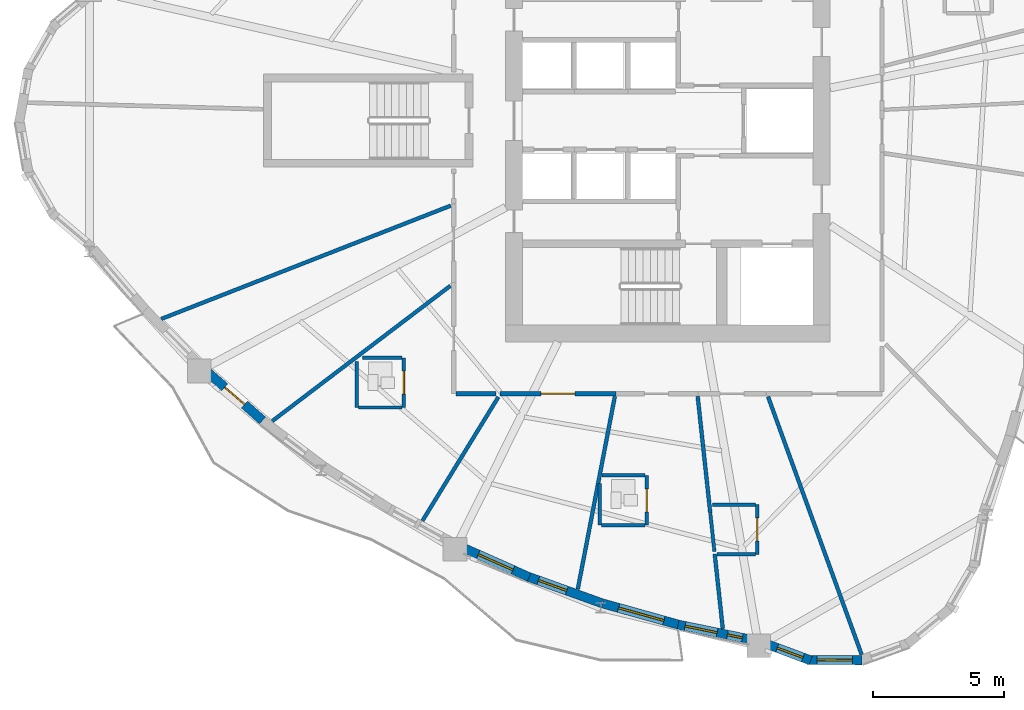
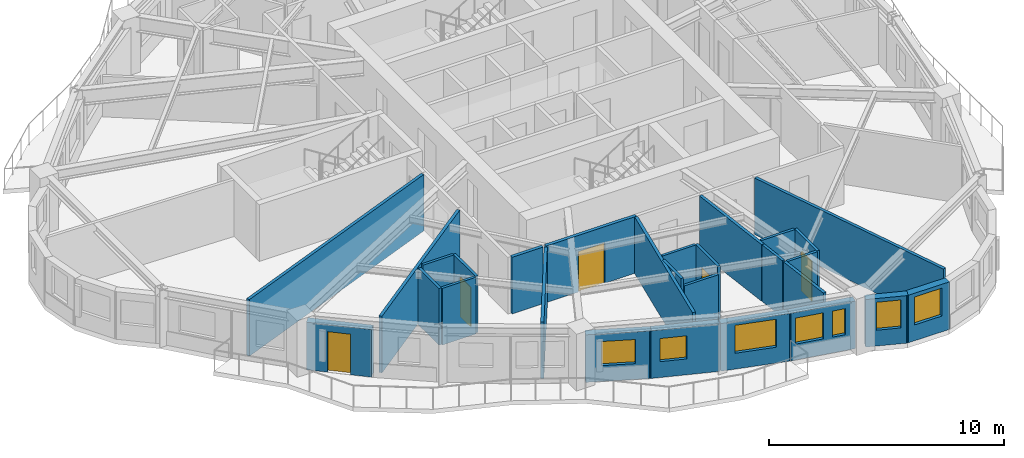
# One storey, part 3 of 12: 28 walls, 7 windows, 5 doors, 12 openings.
"""IFC4 building model written with IfcOpenShell, lengths in metres."""

import ifcopenshell
import ifcopenshell.guid

model = None  # the IFC model being written
_history = None  # IfcOwnerHistory: only IFC2X3 demands one
_inside = {}  # id of a spatial element -> (the spatial element, [elements in it])
_under = {}  # id of a project, library or spatial element -> (it, [spatial elements below it])
_declared = {}  # id of a project -> (the project, [libraries it declares])
_typed = {}  # id of a type object -> (the type object, [elements of that type])
_made_of = {}  # id of a material, layer set ... -> (it, [elements and type objects made of it])


def new_model(schema):
    """Start an empty IFC model of exactly this schema.

    Asked for "IFC4X3", IfcOpenShell would pick the latest addendum, in which some entities
    have other attributes; the version numbers below select the first issue.
    IFC2X3 requires an IfcOwnerHistory on every rooted entity: one is made here for all.
    """
    global model, _history
    if schema == "IFC4X3":
        model = ifcopenshell.file(schema_version=(4, 3, 0, 0))
    else:
        model = ifcopenshell.file(schema=schema)
    _inside.clear()
    _under.clear()
    _declared.clear()
    _typed.clear()
    _made_of.clear()
    _history = None
    if model.schema == "IFC2X3":
        org = make("IfcOrganization", Name="unknown")
        user = make(
            "IfcPersonAndOrganization",
            ThePerson=make("IfcPerson", FamilyName="unknown"),
            TheOrganization=org,
        )
        app = make(
            "IfcApplication",
            ApplicationDeveloper=org,
            Version="unknown",
            ApplicationFullName="unknown",
            ApplicationIdentifier="unknown",
        )
        _history = make(
            "IfcOwnerHistory",
            OwningUser=user,
            OwningApplication=app,
            ChangeAction="ADDED",
            CreationDate=0,
        )
    return model


def make(cls, **values):
    """One entity of the class cls with the attributes given. An attribute that is None is left unset."""
    return model.create_entity(
        cls, **{name: value for name, value in values.items() if value is not None}
    )


def rooted(cls, **values):
    """An entity with a GlobalId (a new one), such as an element, a storey or a relation."""
    return make(cls, GlobalId=ifcopenshell.guid.new(), OwnerHistory=_history, **values)


def si_unit(unit_type, name, prefix=None):
    """IfcSIUnit, for example si_unit("LENGTHUNIT", "METRE", prefix="MILLI")."""
    return make("IfcSIUnit", UnitType=unit_type, Prefix=prefix, Name=name)


def assignment(units):
    """IfcUnitAssignment: the units of a project."""
    return None if units is None else make("IfcUnitAssignment", Units=units)


def point(xyz):
    """IfcCartesianPoint."""
    return None if xyz is None else make("IfcCartesianPoint", Coordinates=xyz)


def direction(xyz):
    """IfcDirection."""
    return None if xyz is None else make("IfcDirection", DirectionRatios=xyz)


def frame(location, z_axis=None, x_axis=None):
    """IfcAxis2Placement3D, a coordinate frame: its origin and axes. An axis left out is left unset."""
    return make(
        "IfcAxis2Placement3D",
        Location=point(location),
        Axis=direction(z_axis),
        RefDirection=direction(x_axis),
    )


def frame_2d(location, x_axis=None):
    """IfcAxis2Placement2D, a coordinate frame in the plane: its origin and x axis."""
    return make(
        "IfcAxis2Placement2D", Location=point(location), RefDirection=direction(x_axis)
    )


def origin():
    """The frame at (0, 0, 0) with its axes left unset."""
    return frame((0.0, 0.0, 0.0))


def place(relative_to, where):
    """IfcLocalPlacement: puts the frame where relative to a parent placement (None: the world)."""
    return make(
        "IfcLocalPlacement", PlacementRelTo=relative_to, RelativePlacement=where
    )


def context(
    kind, dimensions, precision=None, world=None, true_north=None, identifier=None
):
    """IfcGeometricRepresentationContext, for example the 3D "Model" context."""
    return make(
        "IfcGeometricRepresentationContext",
        ContextIdentifier=identifier,
        ContextType=kind,
        CoordinateSpaceDimension=dimensions,
        Precision=precision,
        WorldCoordinateSystem=world,
        TrueNorth=true_north,
    )


def subcontext(parent, identifier, kind, view, scale=None):
    """IfcGeometricRepresentationSubContext, for example "Body" below "Model"."""
    return make(
        "IfcGeometricRepresentationSubContext",
        ContextIdentifier=identifier,
        ContextType=kind,
        ParentContext=parent,
        TargetScale=scale,
        TargetView=view,
    )


def project(units=None, contexts=None):
    """IfcProject with its units and contexts."""
    return rooted(
        "IfcProject",
        Name="project",
        RepresentationContexts=contexts,
        UnitsInContext=assignment(units),
    )


def spatial(cls, under=None, at=None, **own):
    """A site, building, storey or space (cls), placed at a placement, below another one or the project."""
    s = rooted(cls, ObjectPlacement=at, **own)
    if under is not None:
        _under.setdefault(under.id(), (under, []))[1].append(s)
    return s


def profile(cls, at=None, kind="AREA", **sizes):
    """A parametric profile (cls). Its sizes go by their IFC names, for example OverallWidth=200.0."""
    return make(cls, ProfileType=kind, Position=at, **sizes)


def rectangle(**sizes):
    """IfcRectangleProfileDef."""
    return profile("IfcRectangleProfileDef", **sizes)


def extrude(swept, where, along, depth):
    """IfcExtrudedAreaSolid: the profile swept, set in the frame where, extruded along a direction by depth."""
    return make(
        "IfcExtrudedAreaSolid",
        SweptArea=swept,
        Position=where,
        ExtrudedDirection=direction(along),
        Depth=depth,
    )


def shape(context_of_items, identifier, shape_type, items):
    """IfcShapeRepresentation: the items that make up one representation, for example the "Body"."""
    return make(
        "IfcShapeRepresentation",
        ContextOfItems=context_of_items,
        RepresentationIdentifier=identifier,
        RepresentationType=shape_type,
        Items=items,
    )


def source(mapping_origin, context_of_items, identifier, shape_type, items):
    """IfcRepresentationMap: a shape defined once, which mapped items show again and again."""
    return make(
        "IfcRepresentationMap",
        MappingOrigin=mapping_origin,
        MappedRepresentation=shape(context_of_items, identifier, shape_type, items),
    )


def transform(
    local_origin,
    x_axis=None,
    y_axis=None,
    z_axis=None,
    scale=None,
    scale2=None,
    scale3=None,
    uniform=True,
):
    """IfcCartesianTransformationOperator3D, or its non-uniform kind. x_axis, y_axis, z_axis: its Axis1, 2, 3."""
    if uniform:
        return make(
            "IfcCartesianTransformationOperator3D",
            Axis1=direction(x_axis),
            Axis2=direction(y_axis),
            LocalOrigin=point(local_origin),
            Scale=scale,
            Axis3=direction(z_axis),
        )
    return make(
        "IfcCartesianTransformationOperator3DnonUniform",
        Axis1=direction(x_axis),
        Axis2=direction(y_axis),
        LocalOrigin=point(local_origin),
        Scale=scale,
        Axis3=direction(z_axis),
        Scale2=scale2,
        Scale3=scale3,
    )


def mapped(mapping_source, mapping_target):
    """IfcMappedItem: shows the shape of a source again, moved by a transform."""
    return make(
        "IfcMappedItem", MappingSource=mapping_source, MappingTarget=mapping_target
    )


def material(Name=None, Category=None):
    """IfcMaterial."""
    return make("IfcMaterial", Name=Name, Category=Category)


def layer(
    of_material, thickness, ventilated=None, Name=None, Category=None, Priority=None
):
    """IfcMaterialLayer: one layer of a wall or slab, of a material (None: an air gap)."""
    return make(
        "IfcMaterialLayer",
        Material=of_material,
        LayerThickness=thickness,
        IsVentilated=ventilated,
        Name=Name,
        Category=Category,
        Priority=Priority,
    )


def layer_set(layers, Name=None):
    """IfcMaterialLayerSet."""
    return make("IfcMaterialLayerSet", MaterialLayers=layers, LayerSetName=Name)


def made_of(thing, what):
    """Note that an element or type object is made of a material, layer set ...; save() writes the relation."""
    if what is not None:
        _made_of.setdefault(what.id(), (what, []))[1].append(thing)
    return thing


def type_object(cls, material=None, **own):
    """A type object (cls), such as IfcWallType, which elements share."""
    return made_of(rooted(cls, **own), material)


def element(
    cls,
    number,
    at=None,
    inside=None,
    cuts=None,
    type_object=None,
    material=None,
    context=None,
    identifier="Body",
    shape_type=None,
    held_by="IfcProductDefinitionShape",
    body=None,
    shapes=None,
    **own,
):
    """One element of the class cls, such as IfcWall. Its Tag is "e" and its number.

    at: its placement. inside: the storey or other place that contains it. cuts: it is an
    opening in that element (IfcRelVoidsElement). A single representation is given by context,
    identifier, shape_type and body (its items); several are given by shapes. held_by: the class
    of the entity that holds the representations. save() writes the other relations.
    """
    e = rooted(cls, Tag="e%d" % number, ObjectPlacement=at, **own)
    if body is not None:
        shapes = [shape(context, identifier, shape_type, body)]
    if shapes is not None:
        e.Representation = make(held_by, Representations=shapes)
    if inside is not None:
        _inside.setdefault(inside.id(), (inside, []))[1].append(e)
    if cuts is not None:
        rooted(
            "IfcRelVoidsElement", RelatingBuildingElement=cuts, RelatedOpeningElement=e
        )
    if type_object is not None:
        _typed.setdefault(type_object.id(), (type_object, []))[1].append(e)
    return made_of(e, material)


def fill(opening, filler):
    """IfcRelFillsElement: the door or window that sits in an opening."""
    return rooted(
        "IfcRelFillsElement",
        RelatingOpeningElement=opening,
        RelatedBuildingElement=filler,
    )


def aggregate(whole, parts):
    """IfcRelAggregates: a whole, such as a stair, and the parts it consists of."""
    return rooted("IfcRelAggregates", RelatingObject=whole, RelatedObjects=parts)


def save(model, path):
    """Write the relations noted so far, then the file.

    IfcRelAggregates (storeys below a building ...), IfcRelContainedInSpatialStructure (elements
    in a storey), IfcRelDefinesByType, IfcRelAssociatesMaterial and IfcRelDeclares: one each for
    every whole, place, type object, material and project.
    """
    for whole, parts in _under.values():
        aggregate(whole, parts)
    for where, things in _inside.values():
        rooted(
            "IfcRelContainedInSpatialStructure",
            RelatedElements=things,
            RelatingStructure=where,
        )
    for kind, things in _typed.values():
        rooted("IfcRelDefinesByType", RelatedObjects=things, RelatingType=kind)
    for what, things in _made_of.values():
        rooted("IfcRelAssociatesMaterial", RelatedObjects=things, RelatingMaterial=what)
    for by, libraries in _declared.values():
        rooted("IfcRelDeclares", RelatingContext=by, RelatedDefinitions=libraries)
    model.write(path)


model = new_model("IFC4")

# Units and contexts
model_context = context("Model", 3, precision=1e-05, world=origin(), true_north=direction((0.0, 1.0)))
body_context = subcontext(model_context, "Body", "Model", "MODEL_VIEW")
ifc_project = project(units=[si_unit("LENGTHUNIT", "METRE"), si_unit("AREAUNIT", "SQUARE_METRE"), si_unit("VOLUMEUNIT", "CUBIC_METRE"), si_unit("PLANEANGLEUNIT", "RADIAN"), si_unit("MASSUNIT", "GRAM", prefix="KILO")], contexts=[model_context])

# Site, building, storey
site_placement = place(None, origin())
site = spatial("IfcSite", under=ifc_project, at=site_placement, CompositionType="ELEMENT")
building_placement = place(site_placement, origin())
building = spatial("IfcBuilding", under=site, at=building_placement, Name="Qafzar Sky-Pleat Residences", CompositionType="ELEMENT")
storey_placement = place(building_placement, frame((0.0, 0.0, 76.800048828125)))
storey = spatial("IfcBuildingStorey", under=building, at=storey_placement, Name="L22", CompositionType="ELEMENT", Elevation=76.800048828125)

# Wall, opening, door
ifc_material_1 = material(Name="Acoustic gypsum plasterboard partition", Category="gypsum")
ifc_layer_1 = layer(ifc_material_1, 0.159912109375)
ifc_layer_set_1 = layer_set([ifc_layer_1], Name="Acoustic gypsum plasterboard partition")
wall_type_1 = type_object("IfcWallType", Name="PART-COR-160", PredefinedType="PARTITIONING", material=ifc_layer_set_1)
wall_1_placement = place(storey_placement, frame((28.35888671875, 15.570068359375, 0.0), z_axis=(0.0, 0.0, 1.0), x_axis=(-1.0, 0.0, 0.0)))
wall_1 = element("IfcWall", 1, at=wall_1_placement, inside=storey, type_object=wall_type_1, Name="L22 Partition Wall PART-L22-PW-005", PredefinedType="PARTITIONING", context=body_context, shape_type="SweptSolid", body=[
    extrude(rectangle(XDim=4.423828125, YDim=0.159912109375, at=frame_2d((2.2119140625, 0.0))), origin(), (0.0, 0.0, 1.0), 2.93505859375),
])
opening_1_placement = place(wall_1_placement, frame((1.56103515625, 0.0, 0.0)))
opening_1 = element("IfcOpeningElement", 2, at=opening_1_placement, cuts=wall_1, Name="Opening ID-05", PredefinedType="OPENING", context=body_context, shape_type="SweptSolid", body=[
    extrude(rectangle(XDim=1.300048828125, YDim=2.10009765625, at=frame_2d((0.64990234375, 1.050048828125))), frame((0.0, 0.08984375, 0.0), z_axis=(0.0, -1.0, 0.0), x_axis=(1.0, 0.0, 0.0)), (0.0, 0.0, 1.0), 0.179931640625),
])
ifc_material_2 = material(Name="Timber-faced fire door", Category="wood")
door_type_1 = type_object("IfcDoorType", Name="DR-LNG-1300", OperationType="DOUBLE_DOOR_SINGLE_SWING", PredefinedType="DOOR", material=ifc_material_2)
shared_shape_1 = source(origin(), body_context, "Body", "SweptSolid", [
    extrude(rectangle(XDim=1.300048828125, YDim=2.10009765625, at=frame_2d((0.64990234375, 1.050048828125))), frame((0.0, 0.02490234375, 0.0), z_axis=(0.0, -1.0, 0.0), x_axis=(1.0, 0.0, 0.0)), (0.0, 0.0, 1.0), 0.050048828125),
])
door_1_placement = place(opening_1_placement, origin())
door_1 = element("IfcDoor", 3, at=door_1_placement, inside=storey, type_object=door_type_1, Name="L22 Communal Kitchen Door", OperationType="DOUBLE_DOOR_SINGLE_SWING", OverallHeight=2.10009765625, OverallWidth=1.300048828125, PredefinedType="DOOR", context=body_context, shape_type="MappedRepresentation", body=[
    mapped(shared_shape_1, transform((0.0, 0.0, 0.0), x_axis=(1.0, 0.0, 0.0), y_axis=(0.0, 1.0, 0.0), z_axis=(0.0, 0.0, 1.0), scale=1.0)),
])
fill(opening_1, door_1)

# Walls
wall_2_placement = place(storey_placement, frame((22.258056640625, 15.570068359375, 0.0), z_axis=(0.0, 0.0, 1.0), x_axis=(1.0, 0.0, 0.0)))
element("IfcWall", 4, at=wall_2_placement, inside=storey, type_object=wall_type_1, Name="L22 Partition Wall PART-L22-PW-062", PredefinedType="PARTITIONING", context=body_context, shape_type="SweptSolid", body=[
    extrude(rectangle(XDim=1.519775390625, YDim=0.159912109375, at=frame_2d((0.759765625, 0.0))), origin(), (0.0, 0.0, 1.0), 2.93505859375),
])
ifc_layer_2 = layer(ifc_material_1, 0.14501953125)
ifc_layer_set_2 = layer_set([ifc_layer_2], Name="Acoustic gypsum plasterboard partition")
wall_type_2 = type_object("IfcWallType", Name="PART-UNIT-145", PredefinedType="PARTITIONING", material=ifc_layer_set_2)
wall_3_placement = place(storey_placement, frame((10.998046875, 18.42529296875, 0.0), z_axis=(0.0, 0.0, 1.0), x_axis=(0.931213049878, 0.364475315676, 0.0)))
element("IfcWall", 5, at=wall_3_placement, inside=storey, type_object=wall_type_2, Name="L22 Partition Wall PART-L22-PW-025", PredefinedType="PARTITIONING", context=body_context, shape_type="SweptSolid", body=[
    extrude(rectangle(XDim=11.875, YDim=0.14501953125, at=frame_2d((5.9375, 0.0))), origin(), (0.0, 0.0, 1.0), 2.93505859375),
])
wall_4_placement = place(storey_placement, frame((34.1748046875, 15.457763671875, 0.0), z_axis=(0.0, 0.0, 1.0), x_axis=(0.341079223998, -0.940034554129, 0.0)))
element("IfcWall", 6, at=wall_4_placement, inside=storey, type_object=wall_type_2, Name="L22 Partition Wall PART-L22-PW-026", PredefinedType="PARTITIONING", context=body_context, shape_type="SweptSolid", body=[
    extrude(rectangle(XDim=10.484130859375, YDim=0.14501953125, at=frame_2d((5.2421875, 0.0))), origin(), (0.0, 0.0, 1.0), 2.93505859375),
])
wall_5_placement = place(storey_placement, frame((15.2392578125, 14.52587890625, 0.0), z_axis=(0.0, 0.0, 1.0), x_axis=(0.796393529077, 0.604778758592, 0.0)))
element("IfcWall", 7, at=wall_5_placement, inside=storey, type_object=wall_type_2, Name="L22 Partition Wall PART-L22-PW-031", PredefinedType="PARTITIONING", context=body_context, shape_type="SweptSolid", body=[
    extrude(rectangle(XDim=8.5390625, YDim=0.14501953125, at=frame_2d((4.26953125, 0.0))), origin(), (0.0, 0.0, 1.0), 2.93505859375),
])
wall_6_placement = place(storey_placement, frame((26.90771484375, 8.10400390625, 0.0), z_axis=(0.0, 0.0, 1.0), x_axis=(0.188911386882, 0.981994138428, 0.0)))
element("IfcWall", 8, at=wall_6_placement, inside=storey, type_object=wall_type_2, Name="L22 Partition Wall PART-L22-PW-033", PredefinedType="PARTITIONING", context=body_context, shape_type="SweptSolid", body=[
    extrude(rectangle(XDim=7.49951171875, YDim=0.14501953125, at=frame_2d((3.749755859375, 0.0))), origin(), (0.0, 0.0, 1.0), 2.93505859375),
])
wall_7_placement = place(storey_placement, frame((20.973388671875, 10.714599609375, 0.0), z_axis=(0.0, 0.0, 1.0), x_axis=(0.522906546436, 0.852390018533, 0.0)))
element("IfcWall", 9, at=wall_7_placement, inside=storey, type_object=wall_type_2, Name="L22 Partition Wall PART-L22-PW-040", PredefinedType="PARTITIONING", context=body_context, shape_type="SweptSolid", body=[
    extrude(rectangle(XDim=5.550048828125, YDim=0.14501953125, at=frame_2d((2.77490234375, 0.0))), origin(), (0.0, 0.0, 1.0), 2.93505859375),
])
wall_8_placement = place(storey_placement, frame((31.4873046875, 15.474365234375, 0.0), z_axis=(0.0, 0.0, 1.0), x_axis=(0.107366994444, -0.994219456913, 0.0)))
element("IfcWall", 10, at=wall_8_placement, inside=storey, type_object=wall_type_2, Name="L22 Partition Wall PART-L22-PW-042", PredefinedType="PARTITIONING", context=body_context, shape_type="SweptSolid", body=[
    extrude(rectangle(XDim=4.486328125, YDim=0.14501953125, at=frame_2d((2.2431640625, 0.0))), origin(), (0.0, 0.0, 1.0), 2.93505859375),
])
wall_9_placement = place(storey_placement, frame((32.137939453125, 9.449951171875, 0.0), z_axis=(0.0, 0.0, 1.0), x_axis=(0.107518086749, -0.994203128652, 0.0)))
element("IfcWall", 11, at=wall_9_placement, inside=storey, type_object=wall_type_2, Name="L22 Partition Wall PART-L22-PW-043", PredefinedType="PARTITIONING", context=body_context, shape_type="SweptSolid", body=[
    extrude(rectangle(XDim=2.879150390625, YDim=0.14501953125, at=frame_2d((1.439453125, 0.0))), origin(), (0.0, 0.0, 1.0), 2.93505859375),
])

# Wall, opening, door
ifc_material_3 = material(Name="Moisture-resistant gypsum partition", Category="gypsum")
ifc_layer_3 = layer(ifc_material_3, 0.1298828125)
ifc_layer_set_3 = layer_set([ifc_layer_3], Name="Moisture-resistant gypsum partition")
wall_type_3 = type_object("IfcWallType", Name="PART-WET-130", PredefinedType="PARTITIONING", material=ifc_layer_set_3)
wall_10_placement = place(storey_placement, frame((20.26611328125, 15.04296875, 0.0), z_axis=(0.0, 0.0, 1.0), x_axis=(0.0, 1.0, 0.0)))
wall_10 = element("IfcWall", 12, at=wall_10_placement, inside=storey, type_object=wall_type_3, Name="L22 Partition Wall PART-L22-PW-015", PredefinedType="PARTITIONING", context=body_context, shape_type="SweptSolid", body=[
    extrude(rectangle(XDim=1.900146484375, YDim=0.1298828125, at=frame_2d((0.9501953125, 0.0))), origin(), (0.0, 0.0, 1.0), 2.93505859375),
])
opening_2_placement = place(wall_10_placement, frame((0.510009765625, 0.0, 0.0)))
opening_2 = element("IfcOpeningElement", 13, at=opening_2_placement, cuts=wall_10, Name="Opening ID-07", PredefinedType="OPENING", context=body_context, shape_type="SweptSolid", body=[
    extrude(rectangle(XDim=0.8798828125, YDim=2.050048828125, at=frame_2d((0.43994140625, 1.02490234375))), frame((0.0, 0.074951171875, 0.0), z_axis=(0.0, -1.0, 0.0), x_axis=(1.0, 0.0, 0.0)), (0.0, 0.0, 1.0), 0.14990234375),
])
door_type_2 = type_object("IfcDoorType", Name="DR-WET-880", OperationType="NOTDEFINED", PredefinedType="DOOR", material=ifc_material_2)
shared_shape_2 = source(origin(), body_context, "Body", "SweptSolid", [
    extrude(rectangle(XDim=0.8798828125, YDim=2.050048828125, at=frame_2d((0.43994140625, 1.02490234375))), frame((0.0, 0.02490234375, 0.0), z_axis=(0.0, -1.0, 0.0), x_axis=(1.0, 0.0, 0.0)), (0.0, 0.0, 1.0), 0.050048828125),
])
door_2_placement = place(opening_2_placement, origin())
door_2 = element("IfcDoor", 14, at=door_2_placement, inside=storey, type_object=door_type_2, Name="L22 En-suite Bathroom 5 Door", OperationType="SINGLE_SWING_LEFT", OverallHeight=2.050048828125, OverallWidth=0.8798828125, PredefinedType="DOOR", context=body_context, shape_type="MappedRepresentation", body=[
    mapped(shared_shape_2, transform((0.0, 0.0, 0.0), x_axis=(1.0, 0.0, 0.0), y_axis=(0.0, 1.0, 0.0), z_axis=(0.0, 0.0, 1.0), scale=1.0)),
])
fill(opening_2, door_2)

wall_11_placement = place(storey_placement, frame((29.5439453125, 10.548095703125, 0.0), z_axis=(0.0, 0.0, 1.0), x_axis=(0.0, 1.0, 0.0)))
wall_11 = element("IfcWall", 15, at=wall_11_placement, inside=storey, type_object=wall_type_3, Name="L22 Partition Wall PART-L22-PW-016", PredefinedType="PARTITIONING", context=body_context, shape_type="SweptSolid", body=[
    extrude(rectangle(XDim=1.89990234375, YDim=0.1298828125, at=frame_2d((0.949951171875, 0.0))), origin(), (0.0, 0.0, 1.0), 2.93505859375),
])
opening_3_placement = place(wall_11_placement, frame((0.510009765625, 0.0, 0.0)))
opening_3 = element("IfcOpeningElement", 16, at=opening_3_placement, cuts=wall_11, Name="Opening ID-07", PredefinedType="OPENING", context=body_context, shape_type="SweptSolid", body=[
    extrude(rectangle(XDim=0.8798828125, YDim=2.050048828125, at=frame_2d((0.43994140625, 1.02490234375))), frame((0.0, 0.074951171875, 0.0), z_axis=(0.0, -1.0, 0.0), x_axis=(1.0, 0.0, 0.0)), (0.0, 0.0, 1.0), 0.14990234375),
])
door_3_placement = place(opening_3_placement, origin())
door_3 = element("IfcDoor", 17, at=door_3_placement, inside=storey, type_object=door_type_2, Name="L22 En-suite Bathroom 6 Door", OperationType="SINGLE_SWING_RIGHT", OverallHeight=2.050048828125, OverallWidth=0.8798828125, PredefinedType="DOOR", context=body_context, shape_type="MappedRepresentation", body=[
    mapped(shared_shape_2, transform((0.0, 0.0, 0.0), x_axis=(1.0, 0.0, 0.0), y_axis=(0.0, 1.0, 0.0), z_axis=(0.0, 0.0, 1.0), scale=1.0)),
])
fill(opening_3, door_3)

wall_12_placement = place(storey_placement, frame((33.760986328125, 9.43505859375, 0.0), z_axis=(0.0, 0.0, 1.0), x_axis=(0.0, 1.0, 0.0)))
wall_12 = element("IfcWall", 18, at=wall_12_placement, inside=storey, type_object=wall_type_3, Name="L22 Partition Wall PART-L22-PW-017", PredefinedType="PARTITIONING", context=body_context, shape_type="SweptSolid", body=[
    extrude(rectangle(XDim=1.89990234375, YDim=0.1298828125, at=frame_2d((0.949951171875, 0.0))), origin(), (0.0, 0.0, 1.0), 2.93505859375),
])
opening_4_placement = place(wall_12_placement, frame((0.510009765625, 0.0, 0.0)))
opening_4 = element("IfcOpeningElement", 19, at=opening_4_placement, cuts=wall_12, Name="Opening ID-07", PredefinedType="OPENING", context=body_context, shape_type="SweptSolid", body=[
    extrude(rectangle(XDim=0.8798828125, YDim=2.050048828125, at=frame_2d((0.43994140625, 1.02490234375))), frame((0.0, 0.074951171875, 0.0), z_axis=(0.0, -1.0, 0.0), x_axis=(1.0, 0.0, 0.0)), (0.0, 0.0, 1.0), 0.14990234375),
])
door_4_placement = place(opening_4_placement, origin())
door_4 = element("IfcDoor", 20, at=door_4_placement, inside=storey, type_object=door_type_2, Name="L22 En-suite Bathroom 7 Door", OperationType="SINGLE_SWING_LEFT", OverallHeight=2.050048828125, OverallWidth=0.8798828125, PredefinedType="DOOR", context=body_context, shape_type="MappedRepresentation", body=[
    mapped(shared_shape_2, transform((0.0, 0.0, 0.0), x_axis=(1.0, 0.0, 0.0), y_axis=(0.0, 1.0, 0.0), z_axis=(0.0, 0.0, 1.0), scale=1.0)),
])
fill(opening_4, door_4)

# Walls
wall_13_placement = place(storey_placement, frame((18.466064453125, 15.04296875, 0.0), z_axis=(0.0, 0.0, 1.0), x_axis=(0.0, 1.0, 0.0)))
element("IfcWall", 21, at=wall_13_placement, inside=storey, type_object=wall_type_3, Name="L22 Partition Wall PART-L22-PW-046", PredefinedType="PARTITIONING", context=body_context, shape_type="SweptSolid", body=[
    extrude(rectangle(XDim=1.751708984375, YDim=0.1298828125, at=frame_2d((0.8759765625, 0.0))), origin(), (0.0, 0.0, 1.0), 2.93505859375),
])
wall_14_placement = place(storey_placement, frame((27.743896484375, 10.548095703125, 0.0), z_axis=(0.0, 0.0, 1.0), x_axis=(0.0, 1.0, 0.0)))
element("IfcWall", 22, at=wall_14_placement, inside=storey, type_object=wall_type_3, Name="L22 Partition Wall PART-L22-PW-047", PredefinedType="PARTITIONING", context=body_context, shape_type="SweptSolid", body=[
    extrude(rectangle(XDim=1.5849609375, YDim=0.1298828125, at=frame_2d((0.79248046875, 0.0))), origin(), (0.0, 0.0, 1.0), 2.93505859375),
])
wall_15_placement = place(storey_placement, frame((32.048828125, 11.3349609375, 0.0), z_axis=(0.0, 0.0, 1.0), x_axis=(1.0, 0.0, 0.0)))
element("IfcWall", 23, at=wall_15_placement, inside=storey, type_object=wall_type_3, Name="L22 Partition Wall PART-L22-PW-051", PredefinedType="PARTITIONING", context=body_context, shape_type="SweptSolid", body=[
    extrude(rectangle(XDim=1.63916015625, YDim=0.1298828125, at=frame_2d((0.819580078125, 0.0))), origin(), (0.0, 0.0, 1.0), 2.93505859375),
])
wall_16_placement = place(storey_placement, frame((27.83837890625, 12.447998046875, 0.0), z_axis=(0.0, 0.0, 1.0), x_axis=(1.0, 0.0, 0.0)))
element("IfcWall", 24, at=wall_16_placement, inside=storey, type_object=wall_type_3, Name="L22 Partition Wall PART-L22-PW-058", PredefinedType="PARTITIONING", context=body_context, shape_type="SweptSolid", body=[
    extrude(rectangle(XDim=1.632568359375, YDim=0.1298828125, at=frame_2d((0.81640625, 0.0))), origin(), (0.0, 0.0, 1.0), 2.93505859375),
])
wall_17_placement = place(storey_placement, frame((27.81689453125, 10.548095703125, 0.0), z_axis=(0.0, 0.0, 1.0), x_axis=(1.0, 0.0, 0.0)))
element("IfcWall", 25, at=wall_17_placement, inside=storey, type_object=wall_type_3, Name="L22 Partition Wall PART-L22-PW-059", PredefinedType="PARTITIONING", context=body_context, shape_type="SweptSolid", body=[
    extrude(rectangle(XDim=1.654052734375, YDim=0.1298828125, at=frame_2d((0.8271484375, 0.0))), origin(), (0.0, 0.0, 1.0), 2.54296875),
])
wall_18_placement = place(storey_placement, frame((18.679443359375, 16.943115234375, 0.0), z_axis=(0.0, 0.0, 1.0), x_axis=(1.0, 0.0, 0.0)))
element("IfcWall", 26, at=wall_18_placement, inside=storey, type_object=wall_type_3, Name="L22 Partition Wall PART-L22-PW-060", PredefinedType="PARTITIONING", context=body_context, shape_type="SweptSolid", body=[
    extrude(rectangle(XDim=1.513671875, YDim=0.1298828125, at=frame_2d((0.7568359375, 0.0))), origin(), (0.0, 0.0, 1.0), 2.93505859375),
])
wall_19_placement = place(storey_placement, frame((18.5390625, 15.04296875, 0.0), z_axis=(0.0, 0.0, 1.0), x_axis=(1.0, 0.0, 0.0)))
element("IfcWall", 27, at=wall_19_placement, inside=storey, type_object=wall_type_3, Name="L22 Partition Wall PART-L22-PW-061", PredefinedType="PARTITIONING", context=body_context, shape_type="SweptSolid", body=[
    extrude(rectangle(XDim=1.654052734375, YDim=0.1298828125, at=frame_2d((0.8271484375, 0.0))), origin(), (0.0, 0.0, 1.0), 2.93505859375),
])
wall_20_placement = place(storey_placement, frame((32.22802734375, 9.43505859375, 0.0), z_axis=(0.0, 0.0, 1.0), x_axis=(1.0, 0.0, 0.0)))
element("IfcWall", 28, at=wall_20_placement, inside=storey, type_object=wall_type_3, Name="L22 Partition Wall PART-L22-PW-063", PredefinedType="PARTITIONING", context=body_context, shape_type="SweptSolid", body=[
    extrude(rectangle(XDim=1.4599609375, YDim=0.1298828125, at=frame_2d((0.72998046875, 0.0))), origin(), (0.0, 0.0, 1.0), 2.93505859375),
])
wall_21_placement = place(storey_placement, frame((31.970703125, 10.9990234375, 0.0), z_axis=(0.0, 0.0, 1.0), x_axis=(0.107334680039, -0.994222946054, 0.0)))
element("IfcWall", 29, at=wall_21_placement, inside=storey, type_object=wall_type_3, Name="L22 Partition Wall PART-L22-PW-064", PredefinedType="PARTITIONING", context=body_context, shape_type="SweptSolid", body=[
    extrude(rectangle(XDim=1.462646484375, YDim=0.1298828125, at=frame_2d((0.7314453125, 0.0))), origin(), (0.0, 0.0, 1.0), 2.93505859375),
])

# Wall, opening, door
ifc_material_4 = material(Name="Precast concrete C40/50 with honed Riyadh limestone", Category="concrete")
ifc_layer_4 = layer(ifc_material_4, 0.35009765625)
ifc_layer_set_4 = layer_set([ifc_layer_4], Name="Precast concrete C40/50 with honed Riyadh limestone")
wall_type_4 = type_object("IfcWallType", Name="WALL-EXT-350", PredefinedType="SOLIDWALL", material=ifc_layer_set_4)
wall_22_placement = place(storey_placement, frame((12.736083984375, 16.419189453125, 0.0), z_axis=(0.0, 0.0, 1.0), x_axis=(0.751507962483, -0.659724019818, 0.0)))
wall_22 = element("IfcWall", 30, at=wall_22_placement, inside=storey, type_object=wall_type_4, Name="L22 Limestone Facade Wall 9", PredefinedType="SOLIDWALL", context=body_context, shape_type="SweptSolid", body=[
    extrude(rectangle(XDim=2.832763671875, YDim=0.35009765625, at=frame_2d((1.41650390625, 0.0))), origin(), (0.0, 0.0, 1.0), 2.46484375),
])
opening_5_placement = place(wall_22_placement, frame((0.91650390625, 0.0, 0.0)))
opening_5 = element("IfcOpeningElement", 31, at=opening_5_placement, cuts=wall_22, Name="Opening ED-05", PredefinedType="OPENING", context=body_context, shape_type="SweptSolid", body=[
    extrude(rectangle(XDim=1.0, YDim=2.10009765625, at=frame_2d((0.5, 1.050048828125))), frame((0.0, 0.18505859375, 0.0), z_axis=(0.0, -1.0, 0.0), x_axis=(1.0, 0.0, 0.0)), (0.0, 0.0, 1.0), 0.3701171875),
])
ifc_material_5 = material(Name="Glazed bronze aluminium door", Category="aluminium")
door_type_3 = type_object("IfcDoorType", Name="DR-BAL-1000", OperationType="NOTDEFINED", PredefinedType="DOOR", material=ifc_material_5)
shared_shape_3 = source(origin(), body_context, "Body", "SweptSolid", [
    extrude(rectangle(XDim=1.0, YDim=2.10009765625, at=frame_2d((0.5, 1.050048828125))), frame((0.0, 0.02490234375, 0.0), z_axis=(0.0, -1.0, 0.0), x_axis=(1.0, 0.0, 0.0)), (0.0, 0.0, 1.0), 0.050048828125),
])
door_5_placement = place(opening_5_placement, origin())
door_5 = element("IfcDoor", 32, at=door_5_placement, inside=storey, type_object=door_type_3, Name="L22 Glazed Balcony Door 3", OperationType="SINGLE_SWING_LEFT", OverallHeight=2.10009765625, OverallWidth=1.0, PredefinedType="DOOR", context=body_context, shape_type="MappedRepresentation", body=[
    mapped(shared_shape_3, transform((0.0, 0.0, 0.0), x_axis=(1.0, 0.0, 0.0), y_axis=(0.0, 1.0, 0.0), z_axis=(0.0, 0.0, 1.0), scale=1.0)),
])
fill(opening_5, door_5)

# Wall, opening, window
wall_23_placement = place(storey_placement, frame((22.49365234375, 9.70068359375, 0.0), z_axis=(0.0, 0.0, 1.0), x_axis=(0.913444316629, -0.406963733542, 0.0)))
wall_23 = element("IfcWall", 33, at=wall_23_placement, inside=storey, type_object=wall_type_4, Name="L22 Limestone Facade Wall 13", PredefinedType="SOLIDWALL", context=body_context, shape_type="SweptSolid", body=[
    extrude(rectangle(XDim=2.799072265625, YDim=0.35009765625, at=frame_2d((1.3994140625, 0.0))), origin(), (0.0, 0.0, 1.0), 2.46484375),
])
opening_6_placement = place(wall_23_placement, frame((0.66943359375, 0.0, 0.820068359375)))
opening_6 = element("IfcOpeningElement", 34, at=opening_6_placement, cuts=wall_23, Name="Opening WN-15", PredefinedType="OPENING", context=body_context, shape_type="SweptSolid", body=[
    extrude(rectangle(XDim=1.449951171875, YDim=1.25, at=frame_2d((0.72509765625, 0.625))), frame((0.0, 0.18505859375, 0.0), z_axis=(0.0, -1.0, 0.0), x_axis=(1.0, 0.0, 0.0)), (0.0, 0.0, 1.0), 0.3701171875),
])
ifc_material_6 = material(Name="Solar-control low-E glass in bronze aluminium frame", Category="glass")
window_type_1 = type_object("IfcWindowType", Name="WIN-15", PartitioningType="SINGLE_PANEL", PredefinedType="WINDOW", material=ifc_material_6)
shared_shape_4 = source(origin(), body_context, "Body", "SweptSolid", [
    extrude(rectangle(XDim=1.449951171875, YDim=1.25, at=frame_2d((0.72509765625, 0.625))), frame((0.0, 0.030029296875, 0.0), z_axis=(0.0, -1.0, 0.0), x_axis=(1.0, 0.0, 0.0)), (0.0, 0.0, 1.0), 0.06005859375),
])
window_1_placement = place(opening_6_placement, origin())
window_1 = element("IfcWindow", 35, at=window_1_placement, inside=storey, type_object=window_type_1, Name="L22 Punched Facade Window 13", OverallHeight=1.25, OverallWidth=1.449951171875, PartitioningType="SINGLE_PANEL", PredefinedType="WINDOW", context=body_context, shape_type="MappedRepresentation", body=[
    mapped(shared_shape_4, transform((0.0, 0.0, 0.0), x_axis=(1.0, 0.0, 0.0), y_axis=(0.0, 1.0, 0.0), z_axis=(0.0, 0.0, 1.0), scale=1.0)),
])
fill(opening_6, window_1)

wall_24_placement = place(storey_placement, frame((24.968017578125, 8.5947265625, 0.0), z_axis=(0.0, 0.0, 1.0), x_axis=(0.941116670911, -0.338081960082, 0.0)))
wall_24 = element("IfcWall", 36, at=wall_24_placement, inside=storey, type_object=wall_type_4, Name="L22 Limestone Facade Wall 14", PredefinedType="SOLIDWALL", context=body_context, shape_type="SweptSolid", body=[
    extrude(rectangle(XDim=3.0380859375, YDim=0.35009765625, at=frame_2d((1.51904296875, 0.0))), origin(), (0.0, 0.0, 1.0), 2.46484375),
])
opening_7_placement = place(wall_24_placement, frame((0.462890625, 0.0, 0.820068359375)))
opening_7 = element("IfcOpeningElement", 37, at=opening_7_placement, cuts=wall_24, Name="Opening WN-16", PredefinedType="OPENING", context=body_context, shape_type="SweptSolid", body=[
    extrude(rectangle(XDim=1.14990234375, YDim=1.199951171875, at=frame_2d((0.574951171875, 0.60009765625))), frame((0.0, 0.18505859375, 0.0), z_axis=(0.0, -1.0, 0.0), x_axis=(1.0, 0.0, 0.0)), (0.0, 0.0, 1.0), 0.3701171875),
])
window_type_2 = type_object("IfcWindowType", Name="WIN-16", PartitioningType="SINGLE_PANEL", PredefinedType="WINDOW", material=ifc_material_6)
shared_shape_5 = source(origin(), body_context, "Body", "SweptSolid", [
    extrude(rectangle(XDim=1.14990234375, YDim=1.199951171875, at=frame_2d((0.574951171875, 0.60009765625))), frame((0.0, 0.030029296875, 0.0), z_axis=(0.0, -1.0, 0.0), x_axis=(1.0, 0.0, 0.0)), (0.0, 0.0, 1.0), 0.06005859375),
])
window_2_placement = place(opening_7_placement, origin())
window_2 = element("IfcWindow", 38, at=window_2_placement, inside=storey, type_object=window_type_2, Name="L22 Punched Facade Window 14", OverallHeight=1.199951171875, OverallWidth=1.14990234375, PartitioningType="SINGLE_PANEL", PredefinedType="WINDOW", context=body_context, shape_type="MappedRepresentation", body=[
    mapped(shared_shape_5, transform((0.0, 0.0, 0.0), x_axis=(1.0, 0.0, 0.0), y_axis=(0.0, 1.0, 0.0), z_axis=(0.0, 0.0, 1.0), scale=1.0)),
])
fill(opening_7, window_2)

wall_25_placement = place(storey_placement, frame((27.853271484375, 7.55908203125, 0.0), z_axis=(0.0, 0.0, 1.0), x_axis=(0.963060030054, -0.269286796024, 0.0)))
wall_25 = element("IfcWall", 39, at=wall_25_placement, inside=storey, type_object=wall_type_4, Name="L22 Limestone Facade Wall 15", PredefinedType="SOLIDWALL", context=body_context, shape_type="SweptSolid", body=[
    extrude(rectangle(XDim=3.087890625, YDim=0.35009765625, at=frame_2d((1.5439453125, 0.0))), origin(), (0.0, 0.0, 1.0), 2.46484375),
])
opening_8_placement = place(wall_25_placement, frame((0.634033203125, 0.0, 0.820068359375)))
opening_8 = element("IfcOpeningElement", 40, at=opening_8_placement, cuts=wall_25, Name="Opening WN-01", PredefinedType="OPENING", context=body_context, shape_type="SweptSolid", body=[
    extrude(rectangle(XDim=1.800048828125, YDim=1.449951171875, at=frame_2d((0.89990234375, 0.72509765625))), frame((0.0, 0.18505859375, 0.0), z_axis=(0.0, -1.0, 0.0), x_axis=(1.0, 0.0, 0.0)), (0.0, 0.0, 1.0), 0.3701171875),
])
window_type_3 = type_object("IfcWindowType", Name="WIN-01", PartitioningType="DOUBLE_PANEL_VERTICAL", PredefinedType="WINDOW", material=ifc_material_6)
shared_shape_6 = source(origin(), body_context, "Body", "SweptSolid", [
    extrude(rectangle(XDim=1.800048828125, YDim=1.449951171875, at=frame_2d((0.89990234375, 0.72509765625))), frame((0.0, 0.030029296875, 0.0), z_axis=(0.0, -1.0, 0.0), x_axis=(1.0, 0.0, 0.0)), (0.0, 0.0, 1.0), 0.06005859375),
])
window_3_placement = place(opening_8_placement, origin())
window_3 = element("IfcWindow", 41, at=window_3_placement, inside=storey, type_object=window_type_3, Name="L22 Punched Facade Window 15", OverallHeight=1.449951171875, OverallWidth=1.800048828125, PartitioningType="SINGLE_PANEL", PredefinedType="WINDOW", context=body_context, shape_type="MappedRepresentation", body=[
    mapped(shared_shape_6, transform((0.0, 0.0, 0.0), x_axis=(1.0, 0.0, 0.0), y_axis=(0.0, 1.0, 0.0), z_axis=(0.0, 0.0, 1.0), scale=1.0)),
])
fill(opening_8, window_3)

# Wall, openings, windows
wall_26_placement = place(storey_placement, frame((30.741455078125, 6.748291015625, 0.0), z_axis=(0.0, 0.0, 1.0), x_axis=(0.979446941056, -0.201701982282, 0.0)))
wall_26 = element("IfcWall", 42, at=wall_26_placement, inside=storey, type_object=wall_type_4, Name="L22 Limestone Facade Wall 16", PredefinedType="SOLIDWALL", context=body_context, shape_type="SweptSolid", body=[
    extrude(rectangle(XDim=2.948486328125, YDim=0.35009765625, at=frame_2d((1.47412109375, 0.0))), origin(), (0.0, 0.0, 1.0), 2.46484375),
])
opening_9_placement = place(wall_26_placement, frame((0.27001953125, 0.0, 0.820068359375)))
opening_9 = element("IfcOpeningElement", 43, at=opening_9_placement, cuts=wall_26, Name="Opening WN-11", PredefinedType="OPENING", context=body_context, shape_type="SweptSolid", body=[
    extrude(rectangle(XDim=1.25, YDim=1.35009765625, at=frame_2d((0.625, 0.675048828125))), frame((0.0, 0.18505859375, 0.0), z_axis=(0.0, -1.0, 0.0), x_axis=(1.0, 0.0, 0.0)), (0.0, 0.0, 1.0), 0.3701171875),
])
opening_10_placement = place(wall_26_placement, frame((1.924560546875, 0.0, 0.820068359375)))
opening_10 = element("IfcOpeningElement", 44, at=opening_10_placement, cuts=wall_26, Name="Opening WN-17", PredefinedType="OPENING", context=body_context, shape_type="SweptSolid", body=[
    extrude(rectangle(XDim=0.580078125, YDim=1.35009765625, at=frame_2d((0.2900390625, 0.675048828125))), frame((0.0, 0.18505859375, 0.0), z_axis=(0.0, -1.0, 0.0), x_axis=(1.0, 0.0, 0.0)), (0.0, 0.0, 1.0), 0.3701171875),
])
window_type_4 = type_object("IfcWindowType", Name="WIN-17", PartitioningType="SINGLE_PANEL", PredefinedType="WINDOW", material=ifc_material_6)
shared_shape_7 = source(origin(), body_context, "Body", "SweptSolid", [
    extrude(rectangle(XDim=0.580078125, YDim=1.35009765625, at=frame_2d((0.2900390625, 0.675048828125))), frame((0.0, 0.030029296875, 0.0), z_axis=(0.0, -1.0, 0.0), x_axis=(1.0, 0.0, 0.0)), (0.0, 0.0, 1.0), 0.06005859375),
])
window_4_placement = place(opening_10_placement, origin())
window_4 = element("IfcWindow", 45, at=window_4_placement, inside=storey, type_object=window_type_4, Name="L22 Punched Facade Window 16-2", OverallHeight=1.35009765625, OverallWidth=0.580078125, PartitioningType="SINGLE_PANEL", PredefinedType="WINDOW", context=body_context, shape_type="MappedRepresentation", body=[
    mapped(shared_shape_7, transform((0.0, 0.0, 0.0), x_axis=(1.0, 0.0, 0.0), y_axis=(0.0, 1.0, 0.0), z_axis=(0.0, 0.0, 1.0), scale=1.0)),
])
fill(opening_10, window_4)
window_type_5 = type_object("IfcWindowType", Name="WIN-11", PartitioningType="SINGLE_PANEL", PredefinedType="WINDOW", material=ifc_material_6)
shared_shape_8 = source(origin(), body_context, "Body", "SweptSolid", [
    extrude(rectangle(XDim=1.25, YDim=1.35009765625, at=frame_2d((0.625, 0.675048828125))), frame((0.0, 0.030029296875, 0.0), z_axis=(0.0, -1.0, 0.0), x_axis=(1.0, 0.0, 0.0)), (0.0, 0.0, 1.0), 0.06005859375),
])
window_5_placement = place(opening_9_placement, origin())
window_5 = element("IfcWindow", 46, at=window_5_placement, inside=storey, type_object=window_type_5, Name="L22 Punched Facade Window 16", OverallHeight=1.35009765625, OverallWidth=1.25, PartitioningType="SINGLE_PANEL", PredefinedType="WINDOW", context=body_context, shape_type="MappedRepresentation", body=[
    mapped(shared_shape_8, transform((0.0, 0.0, 0.0), x_axis=(1.0, 0.0, 0.0), y_axis=(0.0, 1.0, 0.0), z_axis=(0.0, 0.0, 1.0), scale=1.0)),
])
fill(opening_9, window_5)

# Wall, opening, window
wall_27_placement = place(storey_placement, frame((34.086669921875, 6.02197265625, 0.0), z_axis=(0.0, 0.0, 1.0), x_axis=(0.9368310555, -0.349782180007, 0.0)))
wall_27 = element("IfcWall", 47, at=wall_27_placement, inside=storey, type_object=wall_type_4, Name="L22 Limestone Facade Wall 17", PredefinedType="SOLIDWALL", context=body_context, shape_type="SweptSolid", body=[
    extrude(rectangle(XDim=1.835693359375, YDim=0.35009765625, at=frame_2d((0.91796875, 0.0))), origin(), (0.0, 0.0, 1.0), 2.46484375),
])
opening_11_placement = place(wall_27_placement, frame((0.468017578125, 0.0, 0.820068359375)))
opening_11 = element("IfcOpeningElement", 48, at=opening_11_placement, cuts=wall_27, Name="Opening WN-06", PredefinedType="OPENING", context=body_context, shape_type="SweptSolid", body=[
    extrude(rectangle(XDim=1.050048828125, YDim=1.449951171875, at=frame_2d((0.52490234375, 0.72509765625))), frame((0.0, 0.18505859375, 0.0), z_axis=(0.0, -1.0, 0.0), x_axis=(1.0, 0.0, 0.0)), (0.0, 0.0, 1.0), 0.3701171875),
])
window_type_6 = type_object("IfcWindowType", Name="WIN-06", PartitioningType="SINGLE_PANEL", PredefinedType="WINDOW", material=ifc_material_6)
shared_shape_9 = source(origin(), body_context, "Body", "SweptSolid", [
    extrude(rectangle(XDim=1.050048828125, YDim=1.449951171875, at=frame_2d((0.52490234375, 0.72509765625))), frame((0.0, 0.030029296875, 0.0), z_axis=(0.0, -1.0, 0.0), x_axis=(1.0, 0.0, 0.0)), (0.0, 0.0, 1.0), 0.06005859375),
])
window_6_placement = place(opening_11_placement, origin())
window_6 = element("IfcWindow", 49, at=window_6_placement, inside=storey, type_object=window_type_6, Name="L22 Punched Facade Window 17", OverallHeight=1.449951171875, OverallWidth=1.050048828125, PartitioningType="SINGLE_PANEL", PredefinedType="WINDOW", context=body_context, shape_type="MappedRepresentation", body=[
    mapped(shared_shape_9, transform((0.0, 0.0, 0.0), x_axis=(1.0, 0.0, 0.0), y_axis=(0.0, 1.0, 0.0), z_axis=(0.0, 0.0, 1.0), scale=1.0)),
])
fill(opening_11, window_6)

wall_28_placement = place(storey_placement, frame((35.6728515625, 5.404296875, 0.0), z_axis=(0.0, 0.0, 1.0), x_axis=(0.999976451414, -0.006862697526, 0.0)))
wall_28 = element("IfcWall", 50, at=wall_28_placement, inside=storey, type_object=wall_type_4, Name="L22 Limestone Facade Wall 18", PredefinedType="SOLIDWALL", context=body_context, shape_type="SweptSolid", body=[
    extrude(rectangle(XDim=2.098876953125, YDim=0.35009765625, at=frame_2d((1.04931640625, 0.0))), origin(), (0.0, 0.0, 1.0), 2.46484375),
])
opening_12_placement = place(wall_28_placement, frame((0.37451171875, 0.0, 0.820068359375)))
opening_12 = element("IfcOpeningElement", 51, at=opening_12_placement, cuts=wall_28, Name="Opening WN-04", PredefinedType="OPENING", context=body_context, shape_type="SweptSolid", body=[
    extrude(rectangle(XDim=1.35009765625, YDim=1.449951171875, at=frame_2d((0.675048828125, 0.72509765625))), frame((0.0, 0.18505859375, 0.0), z_axis=(0.0, -1.0, 0.0), x_axis=(1.0, 0.0, 0.0)), (0.0, 0.0, 1.0), 0.3701171875),
])
window_type_7 = type_object("IfcWindowType", Name="WIN-04", PartitioningType="SINGLE_PANEL", PredefinedType="WINDOW", material=ifc_material_6)
shared_shape_10 = source(origin(), body_context, "Body", "SweptSolid", [
    extrude(rectangle(XDim=1.35009765625, YDim=1.449951171875, at=frame_2d((0.675048828125, 0.72509765625))), frame((0.0, 0.030029296875, 0.0), z_axis=(0.0, -1.0, 0.0), x_axis=(1.0, 0.0, 0.0)), (0.0, 0.0, 1.0), 0.06005859375),
])
window_7_placement = place(opening_12_placement, origin())
window_7 = element("IfcWindow", 52, at=window_7_placement, inside=storey, type_object=window_type_7, Name="L22 Punched Facade Window 18", OverallHeight=1.449951171875, OverallWidth=1.35009765625, PartitioningType="SINGLE_PANEL", PredefinedType="WINDOW", context=body_context, shape_type="MappedRepresentation", body=[
    mapped(shared_shape_10, transform((0.0, 0.0, 0.0), x_axis=(1.0, 0.0, 0.0), y_axis=(0.0, 1.0, 0.0), z_axis=(0.0, 0.0, 1.0), scale=1.0)),
])
fill(opening_12, window_7)

save(model, "model.ifc")
